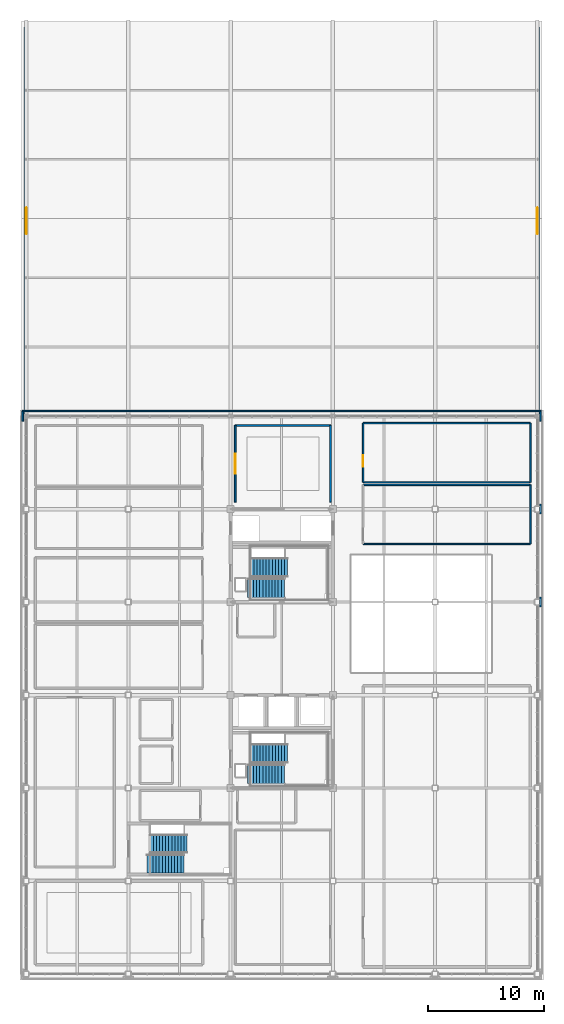
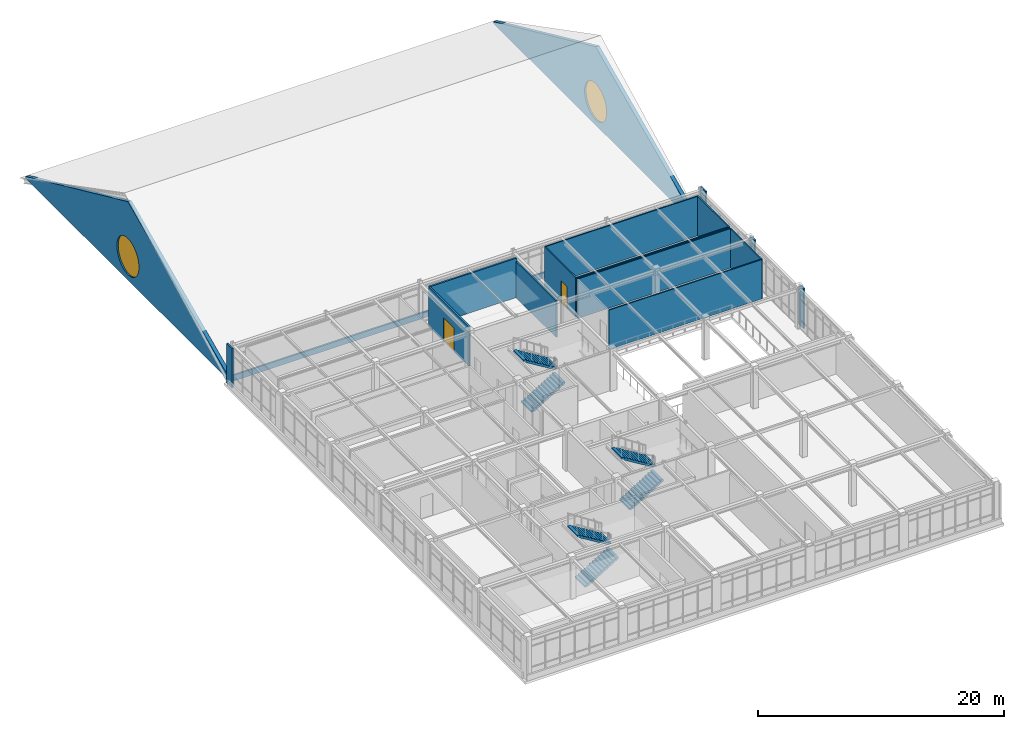
# One storey, part 42 of 45: 17 walls, 6 stair flights, 2 doors, 2 windows, 4 openings, 3 elements without a shape of their own.
"""IFC4 building model written with IfcOpenShell, lengths in metres."""

from ifc_helpers import new_model, si_unit, direction, frame, frame_2d, origin, place, context, subcontext, project, spatial, polyline, rectangle, outline, extrude, material, layer, layer_set, type_object, element, fill, aggregate, save


model = new_model("IFC4")

# Units and contexts
model_context = context("Model", 3, precision=1e-05, world=origin(), true_north=direction((0.0, 1.0)))
body_context = subcontext(model_context, "Body", "Model", "MODEL_VIEW")
ifc_project = project(units=[si_unit("LENGTHUNIT", "METRE"), si_unit("AREAUNIT", "SQUARE_METRE"), si_unit("VOLUMEUNIT", "CUBIC_METRE"), si_unit("PLANEANGLEUNIT", "RADIAN"), si_unit("MASSUNIT", "GRAM", prefix="KILO")], contexts=[model_context])

# Site, building, storey
site_placement = place(None, origin())
site = spatial("IfcSite", under=ifc_project, at=site_placement, CompositionType="ELEMENT")
building_placement = place(site_placement, origin())
building = spatial("IfcBuilding", under=site, at=building_placement, Name="Zhaolan Boulevard Law Courts", CompositionType="ELEMENT")
storey_placement = place(building_placement, frame((0.0, 0.0, 24.60009765625)))
storey = spatial("IfcBuildingStorey", under=building, at=storey_placement, Name="L05", CompositionType="ELEMENT", Elevation=24.60009765625)

# Walls
ifc_material_1 = material(Name="Concrete C40", Category="concrete")
ifc_layer_1 = layer(ifc_material_1, 0.139892578125)
ifc_layer_set_1 = layer_set([ifc_layer_1])
wall_type_1 = type_object("IfcWallType", Name="EXT WALL ARCH CLAD140", PredefinedType="SOLIDWALL", material=ifc_layer_set_1)
for number, where, z_axis, x_axis, name in (
    (1, (44.280029296875, 61.580078125, 0.0), (0.0, 0.0, 1.0), (0.0, 1.0, 0.0), "Concrete Column Cloak Pier CPR-130"),
    (2, (44.280029296875, 69.580078125, 0.0), (0.0, 0.0, 1.0), (0.0, 1.0, 0.0), "Concrete Column Cloak Pier CPR-132"),
    (3, (-0.280029296875, 77.580078125, 0.0), (0.0, 0.0, 1.0), (0.0, 1.0, 0.0), "Concrete Column Cloak Pier CPR-133"),
    (4, (44.280029296875, 77.580078125, 0.0), (0.0, 0.0, 1.0), (0.0, 1.0, 0.0), "Concrete Column Cloak Pier CPR-134"),
):
    element("IfcWall", number, at=place(storey_placement, frame(where, z_axis=z_axis, x_axis=x_axis)), inside=storey, type_object=wall_type_1, Name=name, PredefinedType="SOLIDWALL", context=body_context, shape_type="SweptSolid", body=[
        extrude(rectangle(XDim=0.83984375, YDim=0.139892578125, at=frame_2d((0.419921875, 0.0))), origin(), (0.0, 0.0, 1.0), 3.93994140625),
    ])
ifc_material_2 = material(Name="Concrete C40", Category="concrete")
ifc_layer_2 = layer(ifc_material_2, 0.159912109375)
ifc_layer_set_2 = layer_set([ifc_layer_2])
wall_type_2 = type_object("IfcWallType", Name="EXT WALL ARCH CLAD160", PredefinedType="SOLIDWALL", material=ifc_layer_set_2)
wall_1_placement = place(storey_placement, frame((44.340087890625, 78.43994140625, 0.0), z_axis=(0.0, 0.0, 1.0), x_axis=(-1.0, 0.0, 0.0)))
element("IfcWall", 5, at=wall_1_placement, inside=storey, type_object=wall_type_2, Name="Sculpted Concrete Spandrel Band CBW-120", PredefinedType="SOLIDWALL", context=body_context, shape_type="SweptSolid", body=[
    extrude(rectangle(XDim=44.68017578125, YDim=0.159912109375, at=frame_2d((22.340087890625, 0.0))), origin(), (0.0, 0.0, 1.0), 0.579833984375),
])

# Wall, opening, window
ifc_material_3 = material(Name="Concrete C40", Category="concrete")
ifc_layer_3 = layer(ifc_material_3, 0.340087890625)
ifc_layer_set_3 = layer_set([ifc_layer_3])
wall_type_3 = type_object("IfcWallType", Name="EXT WALL GABLE340", PredefinedType="SOLIDWALL", material=ifc_layer_set_3)
wall_2_placement = place(storey_placement, frame((0.0, 111.489990234375, 0.219970703125), z_axis=(0.0, 0.0, 1.0), x_axis=(0.0, -1.0, 0.0)))
wall_2 = element("IfcWall", 6, at=wall_2_placement, inside=storey, type_object=wall_type_3, Name="Sculpted Concrete Gable Wall GW-LIBS", PredefinedType="SOLIDWALL", context=body_context, shape_type="SweptSolid", body=[
    extrude(outline(polyline([(0.0, 0.0), (33.343994140625, 0.0), (33.343994140625, 0.199951171875), (16.672119140625, 7.800048828125), (0.0, 0.199951171875), (0.0, 0.0)])), frame((0.0, 0.169921875, 0.0), z_axis=(0.0, -1.0, 0.0), x_axis=(1.0, 0.0, 0.0)), (0.0, 0.0, 1.0), 0.340087890625),
])
opening_1_placement = place(wall_2_placement, frame((14.8720703125, 0.0, 0.550048828125)))
opening_1 = element("IfcOpeningElement", 7, at=opening_1_placement, cuts=wall_2, Name="Opening OC-LIBS", PredefinedType="OPENING", context=body_context, shape_type="SweptSolid", body=[
    extrude(outline(polyline([(3.60009765625, 1.800048828125), (3.57275390625, 2.112548828125), (3.491455078125, 2.41552734375), (3.35888671875, 2.699951171875), (3.178955078125, 2.95703125), (2.95703125, 3.178955078125), (2.699951171875, 3.35888671875), (2.41552734375, 3.491455078125), (2.112548828125, 3.57275390625), (1.800048828125, 3.60009765625), (1.487548828125, 3.57275390625), (1.184326171875, 3.491455078125), (0.89990234375, 3.35888671875), (0.64306640625, 3.178955078125), (0.421142578125, 2.95703125), (0.2412109375, 2.699951171875), (0.108642578125, 2.41552734375), (0.02734375, 2.112548828125), (0.0, 1.800048828125), (0.02734375, 1.487548828125), (0.108642578125, 1.184326171875), (0.2412109375, 0.89990234375), (0.421142578125, 0.64306640625), (0.64306640625, 0.421142578125), (0.89990234375, 0.2412109375), (1.184326171875, 0.108642578125), (1.487548828125, 0.02734375), (1.800048828125, 0.0), (2.112548828125, 0.02734375), (2.41552734375, 0.108642578125), (2.699951171875, 0.2412109375), (2.95703125, 0.421142578125), (3.178955078125, 0.64306640625), (3.35888671875, 0.89990234375), (3.491455078125, 1.184326171875), (3.57275390625, 1.487548828125), (3.60009765625, 1.800048828125)])), frame((0.0, 0.179931640625, 0.0), z_axis=(0.0, -1.0, 0.0), x_axis=(1.0, 0.0, 0.0)), (0.0, 0.0, 1.0), 0.360107421875),
])
ifc_material_4 = material(Name="Thermally broken aluminium and laminated low-E glass", Category="aluminium")
window_type = type_object("IfcWindowType", Name="OCULUS WINDOW D3600", PartitioningType="SINGLE_PANEL", PredefinedType="WINDOW", material=ifc_material_4)
window_1_placement = place(opening_1_placement, origin())
window_1 = element("IfcWindow", 8, at=window_1_placement, inside=storey, type_object=window_type, Name="Circular Gable Oculus Window OC-LIBS", OverallHeight=3.60009765625, OverallWidth=3.60009765625, PartitioningType="SINGLE_PANEL", PredefinedType="WINDOW", context=body_context, shape_type="SweptSolid", body=[
    extrude(outline(polyline([(3.60009765625, 1.800048828125), (3.57275390625, 2.112548828125), (3.491455078125, 2.41552734375), (3.35888671875, 2.699951171875), (3.178955078125, 2.95703125), (2.95703125, 3.178955078125), (2.699951171875, 3.35888671875), (2.41552734375, 3.491455078125), (2.112548828125, 3.57275390625), (1.800048828125, 3.60009765625), (1.487548828125, 3.57275390625), (1.184326171875, 3.491455078125), (0.89990234375, 3.35888671875), (0.64306640625, 3.178955078125), (0.421142578125, 2.95703125), (0.2412109375, 2.699951171875), (0.108642578125, 2.41552734375), (0.02734375, 2.112548828125), (0.0, 1.800048828125), (0.02734375, 1.487548828125), (0.108642578125, 1.184326171875), (0.2412109375, 0.89990234375), (0.421142578125, 0.64306640625), (0.64306640625, 0.421142578125), (0.89990234375, 0.2412109375), (1.184326171875, 0.108642578125), (1.487548828125, 0.02734375), (1.800048828125, 0.0), (2.112548828125, 0.02734375), (2.41552734375, 0.108642578125), (2.699951171875, 0.2412109375), (2.95703125, 0.421142578125), (3.178955078125, 0.64306640625), (3.35888671875, 0.89990234375), (3.491455078125, 1.184326171875), (3.57275390625, 1.487548828125), (3.60009765625, 1.800048828125)])), frame((0.0, 0.0400390625, 0.0), z_axis=(0.0, -1.0, 0.0), x_axis=(1.0, 0.0, 0.0)), (0.0, 0.0, 1.0), 0.080078125),
])
fill(opening_1, window_1)

wall_3_placement = place(storey_placement, frame((44.0, 78.14599609375, 0.219970703125), z_axis=(0.0, 0.0, 1.0), x_axis=(0.0, 1.0, 0.0)))
wall_3 = element("IfcWall", 9, at=wall_3_placement, inside=storey, type_object=wall_type_3, Name="Sculpted Concrete Gable Wall GW-LIBE", PredefinedType="SOLIDWALL", context=body_context, shape_type="SweptSolid", body=[
    extrude(outline(polyline([(0.0, 0.0), (33.343994140625, 0.0), (33.343994140625, 0.199951171875), (16.672119140625, 7.800048828125), (0.0, 0.199951171875), (0.0, 0.0)])), frame((0.0, 0.169921875, 0.0), z_axis=(0.0, -1.0, 0.0), x_axis=(1.0, 0.0, 0.0)), (0.0, 0.0, 1.0), 0.340087890625),
])
opening_2_placement = place(wall_3_placement, frame((14.8720703125, 0.0, 0.550048828125)))
opening_2 = element("IfcOpeningElement", 10, at=opening_2_placement, cuts=wall_3, Name="Opening OC-LIBE", PredefinedType="OPENING", context=body_context, shape_type="SweptSolid", body=[
    extrude(outline(polyline([(3.60009765625, 1.800048828125), (3.57275390625, 2.112548828125), (3.491455078125, 2.41552734375), (3.35888671875, 2.699951171875), (3.178955078125, 2.95703125), (2.95703125, 3.178955078125), (2.699951171875, 3.35888671875), (2.41552734375, 3.491455078125), (2.112548828125, 3.57275390625), (1.800048828125, 3.60009765625), (1.487548828125, 3.57275390625), (1.184326171875, 3.491455078125), (0.89990234375, 3.35888671875), (0.64306640625, 3.178955078125), (0.421142578125, 2.95703125), (0.2412109375, 2.699951171875), (0.108642578125, 2.41552734375), (0.02734375, 2.112548828125), (0.0, 1.800048828125), (0.02734375, 1.487548828125), (0.108642578125, 1.184326171875), (0.2412109375, 0.89990234375), (0.421142578125, 0.64306640625), (0.64306640625, 0.421142578125), (0.89990234375, 0.2412109375), (1.184326171875, 0.108642578125), (1.487548828125, 0.02734375), (1.800048828125, 0.0), (2.112548828125, 0.02734375), (2.41552734375, 0.108642578125), (2.699951171875, 0.2412109375), (2.95703125, 0.421142578125), (3.178955078125, 0.64306640625), (3.35888671875, 0.89990234375), (3.491455078125, 1.184326171875), (3.57275390625, 1.487548828125), (3.60009765625, 1.800048828125)])), frame((0.0, 0.179931640625, 0.0), z_axis=(0.0, -1.0, 0.0), x_axis=(1.0, 0.0, 0.0)), (0.0, 0.0, 1.0), 0.360107421875),
])
window_2_placement = place(opening_2_placement, origin())
window_2 = element("IfcWindow", 11, at=window_2_placement, inside=storey, type_object=window_type, Name="Circular Gable Oculus Window OC-LIBE", OverallHeight=3.60009765625, OverallWidth=3.60009765625, PartitioningType="SINGLE_PANEL", PredefinedType="WINDOW", context=body_context, shape_type="SweptSolid", body=[
    extrude(outline(polyline([(3.60009765625, 1.800048828125), (3.57275390625, 2.112548828125), (3.491455078125, 2.41552734375), (3.35888671875, 2.699951171875), (3.178955078125, 2.95703125), (2.95703125, 3.178955078125), (2.699951171875, 3.35888671875), (2.41552734375, 3.491455078125), (2.112548828125, 3.57275390625), (1.800048828125, 3.60009765625), (1.487548828125, 3.57275390625), (1.184326171875, 3.491455078125), (0.89990234375, 3.35888671875), (0.64306640625, 3.178955078125), (0.421142578125, 2.95703125), (0.2412109375, 2.699951171875), (0.108642578125, 2.41552734375), (0.02734375, 2.112548828125), (0.0, 1.800048828125), (0.02734375, 1.487548828125), (0.108642578125, 1.184326171875), (0.2412109375, 0.89990234375), (0.421142578125, 0.64306640625), (0.64306640625, 0.421142578125), (0.89990234375, 0.2412109375), (1.184326171875, 0.108642578125), (1.487548828125, 0.02734375), (1.800048828125, 0.0), (2.112548828125, 0.02734375), (2.41552734375, 0.108642578125), (2.699951171875, 0.2412109375), (2.95703125, 0.421142578125), (3.178955078125, 0.64306640625), (3.35888671875, 0.89990234375), (3.491455078125, 1.184326171875), (3.57275390625, 1.487548828125), (3.60009765625, 1.800048828125)])), frame((0.0, 0.0400390625, 0.0), z_axis=(0.0, -1.0, 0.0), x_axis=(1.0, 0.0, 0.0)), (0.0, 0.0, 1.0), 0.080078125),
])
fill(opening_2, window_2)

# Wall
ifc_material_5 = material(Name="Fire-rated gypsum stud partition")
ifc_layer_4 = layer(ifc_material_5, 0.159912109375)
ifc_layer_set_4 = layer_set([ifc_layer_4])
wall_type_4 = type_object("IfcWallType", Name="PART WALL CHAMB160", PredefinedType="PARTITIONING", material=ifc_layer_set_4)
wall_4_placement = place(storey_placement, frame((26.199951171875, 77.199951171875, 0.0), z_axis=(0.0, 0.0, 1.0), x_axis=(-1.0, 0.0, 0.0)))
element("IfcWall", 12, at=wall_4_placement, inside=storey, type_object=wall_type_4, Name="Interior Partition PW-L05-797", PredefinedType="PARTITIONING", context=body_context, shape_type="SweptSolid", body=[
    extrude(rectangle(XDim=8.199951171875, YDim=0.159912109375, at=frame_2d((4.10009765625, 0.0))), origin(), (0.0, 0.0, 1.0), 3.919921875),
])

# Wall, opening, door
wall_5_placement = place(storey_placement, frame((18.0, 77.199951171875, 0.0), z_axis=(0.0, 0.0, 1.0), x_axis=(0.0, -1.0, 0.0)))
wall_5 = element("IfcWall", 13, at=wall_5_placement, inside=storey, type_object=wall_type_4, Name="Interior Partition PW-L05-798", PredefinedType="PARTITIONING", context=body_context, shape_type="SweptSolid", body=[
    extrude(rectangle(XDim=6.599853515625, YDim=0.159912109375, at=frame_2d((3.2998046875, 0.0))), origin(), (0.0, 0.0, 1.0), 3.919921875),
])
opening_3_placement = place(wall_5_placement, frame((2.449951171875, 0.0, 0.0)))
opening_3 = element("IfcOpeningElement", 14, at=opening_3_placement, cuts=wall_5, Name="Opening ID-L05-251", PredefinedType="OPENING", context=body_context, shape_type="SweptSolid", body=[
    extrude(rectangle(XDim=1.699951171875, YDim=2.300048828125, at=frame_2d((0.85009765625, 1.14990234375))), frame((0.0, 0.08984375, 0.0), z_axis=(0.0, -1.0, 0.0), x_axis=(1.0, 0.0, 0.0)), (0.0, 0.0, 1.0), 0.179931640625),
])
ifc_material_6 = material(Name="Solid-core acoustic oak veneer door")
door_type_1 = type_object("IfcDoorType", Name="LIB DOUBLE 1700X2300", OperationType="DOUBLE_DOOR_SINGLE_SWING", PredefinedType="DOOR", material=ifc_material_6)
door_1_placement = place(opening_3_placement, origin())
door_1 = element("IfcDoor", 15, at=door_1_placement, inside=storey, type_object=door_type_1, Name="Door ID-L05-251 (Appellate Legal Reference Room L05)", OperationType="DOUBLE_DOOR_SINGLE_SWING", OverallHeight=2.300048828125, OverallWidth=1.699951171875, PredefinedType="DOOR", context=body_context, shape_type="SweptSolid", body=[
    extrude(rectangle(XDim=1.699951171875, YDim=2.300048828125, at=frame_2d((0.85009765625, 1.14990234375))), frame((0.0, 0.02490234375, 0.0), z_axis=(0.0, -1.0, 0.0), x_axis=(1.0, 0.0, 0.0)), (0.0, 0.0, 1.0), 0.050048828125),
])
fill(opening_3, door_1)

# Walls
wall_6_placement = place(storey_placement, frame((26.199951171875, 70.60009765625, 0.0), z_axis=(0.0, 0.0, 1.0), x_axis=(0.0, 1.0, 0.0)))
element("IfcWall", 16, at=wall_6_placement, inside=storey, type_object=wall_type_4, Name="Interior Partition PW-L05-799", PredefinedType="PARTITIONING", context=body_context, shape_type="SweptSolid", body=[
    extrude(rectangle(XDim=6.599853515625, YDim=0.159912109375, at=frame_2d((3.2998046875, 0.0))), origin(), (0.0, 0.0, 1.0), 3.595947265625),
])
ifc_material_7 = material(Name="Gypsum board stud partition")
ifc_layer_5 = layer(ifc_material_7, 0.1201171875)
ifc_layer_set_5 = layer_set([ifc_layer_5])
wall_type_5 = type_object("IfcWallType", Name="PART WALL LIGHT120", PredefinedType="PARTITIONING", material=ifc_layer_set_5)
for number, where, z_axis, x_axis, name in (
    (17, (29.0, 67.0, 0.0), (0.0, 0.0, 1.0), (1.0, 0.0, 0.0), "Interior Partition PW-L05-654"),
    (18, (43.39990234375, 72.090087890625, 0.0), (0.0, 0.0, 1.0), (-1.0, 0.0, 0.0), "Interior Partition PW-L05-655"),
):
    element("IfcWall", number, at=place(storey_placement, frame(where, z_axis=z_axis, x_axis=x_axis)), inside=storey, type_object=wall_type_5, Name=name, PredefinedType="PARTITIONING", context=body_context, shape_type="SweptSolid", body=[
        extrude(rectangle(XDim=14.39990234375, YDim=0.1201171875, at=frame_2d((7.199951171875, 0.0))), origin(), (0.0, 0.0, 1.0), 3.919921875),
    ])
wall_7_placement = place(storey_placement, frame((43.39990234375, 67.0, 0.0), z_axis=(0.0, 0.0, 1.0), x_axis=(0.0, 1.0, 0.0)))
element("IfcWall", 19, at=wall_7_placement, inside=storey, type_object=wall_type_5, Name="Interior Partition PW-L05-657", PredefinedType="PARTITIONING", context=body_context, shape_type="SweptSolid", body=[
    extrude(rectangle(XDim=5.090087890625, YDim=0.1201171875, at=frame_2d((2.544921875, 0.0))), origin(), (0.0, 0.0, 1.0), 3.919921875),
])
for number, where, z_axis, x_axis, name in (
    (20, (29.0, 72.31005859375, 0.0), (0.0, 0.0, 1.0), (1.0, 0.0, 0.0), "Interior Partition PW-L05-658"),
    (21, (43.39990234375, 77.39990234375, 0.0), (0.0, 0.0, 1.0), (-1.0, 0.0, 0.0), "Interior Partition PW-L05-659"),
):
    element("IfcWall", number, at=place(storey_placement, frame(where, z_axis=z_axis, x_axis=x_axis)), inside=storey, type_object=wall_type_5, Name=name, PredefinedType="PARTITIONING", context=body_context, shape_type="SweptSolid", body=[
        extrude(rectangle(XDim=14.39990234375, YDim=0.1201171875, at=frame_2d((7.199951171875, 0.0))), origin(), (0.0, 0.0, 1.0), 3.919921875),
    ])

# Wall, opening, door
wall_8_placement = place(storey_placement, frame((29.0, 77.39990234375, 0.0), z_axis=(0.0, 0.0, 1.0), x_axis=(0.0, -1.0, 0.0)))
wall_8 = element("IfcWall", 22, at=wall_8_placement, inside=storey, type_object=wall_type_5, Name="Interior Partition PW-L05-660", PredefinedType="PARTITIONING", context=body_context, shape_type="SweptSolid", body=[
    extrude(rectangle(XDim=5.08984375, YDim=0.1201171875, at=frame_2d((2.544921875, 0.0))), origin(), (0.0, 0.0, 1.0), 3.919921875),
])
opening_4_placement = place(wall_8_placement, frame((2.757080078125, 0.0, 0.0)))
opening_4 = element("IfcOpeningElement", 23, at=opening_4_placement, cuts=wall_8, Name="Opening JD-L05-201", PredefinedType="OPENING", context=body_context, shape_type="SweptSolid", body=[
    extrude(rectangle(XDim=0.97998046875, YDim=2.199951171875, at=frame_2d((0.489990234375, 1.10009765625))), frame((0.0, 0.070068359375, 0.0), z_axis=(0.0, -1.0, 0.0), x_axis=(1.0, 0.0, 0.0)), (0.0, 0.0, 1.0), 0.14013671875),
])
ifc_material_8 = material(Name="Solid-core acoustic oak veneer door")
door_type_2 = type_object("IfcDoorType", Name="CHAMBER DOOR 980X2200 R", OperationType="SINGLE_SWING_RIGHT", PredefinedType="DOOR", material=ifc_material_8)
door_2_placement = place(opening_4_placement, origin())
door_2 = element("IfcDoor", 24, at=door_2_placement, inside=storey, type_object=door_type_2, Name="Door JD-L05-201 (Judges' Chambers L05-02)", OperationType="SINGLE_SWING_RIGHT", OverallHeight=2.199951171875, OverallWidth=0.97998046875, PredefinedType="DOOR", context=body_context, shape_type="SweptSolid", body=[
    extrude(rectangle(XDim=0.97998046875, YDim=2.199951171875, at=frame_2d((0.489990234375, 1.10009765625))), frame((0.0, 0.02490234375, 0.0), z_axis=(0.0, -1.0, 0.0), x_axis=(1.0, 0.0, 0.0)), (0.0, 0.0, 1.0), 0.050048828125),
])
fill(opening_4, door_2)

# Wall
wall_9_placement = place(storey_placement, frame((43.39990234375, 72.31005859375, 0.0), z_axis=(0.0, 0.0, 1.0), x_axis=(0.0, 1.0, 0.0)))
element("IfcWall", 25, at=wall_9_placement, inside=storey, type_object=wall_type_5, Name="Interior Partition PW-L05-661", PredefinedType="PARTITIONING", context=body_context, shape_type="SweptSolid", body=[
    extrude(rectangle(XDim=5.08984375, YDim=0.1201171875, at=frame_2d((2.544921875, 0.0))), origin(), (0.0, 0.0, 1.0), 3.919921875),
])

# Stair, stair flights
ifc_material_9 = material(Name="Concrete C40", Category="concrete")
stair_type_1 = type_object("IfcStairType", Name="HALF TURN STAIR 42 A", PredefinedType="HALF_TURN_STAIR", material=ifc_material_9)
stair_1_placement = place(storey_placement, origin())
stair_1 = element("IfcStair", 26, at=stair_1_placement, inside=storey, type_object=stair_type_1, Name="Stair ST01-L05", PredefinedType="HALF_TURN_STAIR")
ifc_material_10 = material(Name="Concrete C40", Category="concrete")
stair_flight_type_1 = type_object("IfcStairFlightType", Name="STAIR FLIGHT 42 A", PredefinedType="STRAIGHT", material=ifc_material_10)
stair_flight_1_placement = place(storey_placement, frame((19.050048828125, 47.205078125, 0.0), z_axis=(0.0, 0.0, 1.0), x_axis=(1.0, 0.0, 0.0)))
stair_flight_1 = element("IfcStairFlight", 27, at=stair_flight_1_placement, type_object=stair_flight_type_1, Name="Stair Flight ST01-L05-F1", NumberOfRisers=13, NumberOfTreads=12, PredefinedType="STRAIGHT", RiserHeight=0.161538462, TreadLength=0.265, context=body_context, shape_type="SweptSolid", body=[
    extrude(outline(polyline([(0.0, 0.0), (0.0, 0.16162109375), (0.264892578125, 0.16162109375), (0.264892578125, 0.322998046875), (0.530029296875, 0.322998046875), (0.530029296875, 0.484619140625), (0.794921875, 0.484619140625), (0.794921875, 0.646240234375), (1.06005859375, 0.646240234375), (1.06005859375, 0.8076171875), (1.324951171875, 0.8076171875), (1.324951171875, 0.96923828125), (1.590087890625, 0.96923828125), (1.590087890625, 1.130859375), (1.85498046875, 1.130859375), (1.85498046875, 1.292236328125), (2.1201171875, 1.292236328125), (2.1201171875, 1.453857421875), (2.385009765625, 1.453857421875), (2.385009765625, 1.615478515625), (2.64990234375, 1.615478515625), (2.64990234375, 1.77685546875), (2.9150390625, 1.77685546875), (2.9150390625, 1.9384765625), (3.179931640625, 1.9384765625), (3.179931640625, 2.10009765625), (3.179931640625, 1.751220703125), (0.30712890625, 0.0), (0.0, 0.0)])), frame((0.0, 0.824951171875, 0.0), z_axis=(0.0, -1.0, 0.0), x_axis=(1.0, 0.0, 0.0)), (0.0, 0.0, 1.0), 1.64990234375),
])
stair_flight_2_placement = place(storey_placement, frame((22.514892578125, 48.955078125, 2.099853515625), z_axis=(0.0, 0.0, 1.0), x_axis=(-1.0, 0.0, 0.0)))
stair_flight_2 = element("IfcStairFlight", 28, at=stair_flight_2_placement, type_object=stair_flight_type_1, Name="Stair Flight ST01-L05-F2", NumberOfRisers=13, NumberOfTreads=12, PredefinedType="STRAIGHT", RiserHeight=0.161538462, TreadLength=0.265, context=body_context, shape_type="SweptSolid", body=[
    extrude(outline(polyline([(0.0, 0.0), (0.0, 0.16162109375), (0.264892578125, 0.16162109375), (0.264892578125, 0.322998046875), (0.530029296875, 0.322998046875), (0.530029296875, 0.484619140625), (0.794921875, 0.484619140625), (0.794921875, 0.646240234375), (1.06005859375, 0.646240234375), (1.06005859375, 0.8076171875), (1.324951171875, 0.8076171875), (1.324951171875, 0.96923828125), (1.590087890625, 0.96923828125), (1.590087890625, 1.130859375), (1.85498046875, 1.130859375), (1.85498046875, 1.292236328125), (2.1201171875, 1.292236328125), (2.1201171875, 1.453857421875), (2.385009765625, 1.453857421875), (2.385009765625, 1.615478515625), (2.64990234375, 1.615478515625), (2.64990234375, 1.77685546875), (2.9150390625, 1.77685546875), (2.9150390625, 1.9384765625), (3.179931640625, 1.9384765625), (3.179931640625, 2.10009765625), (3.179931640625, 1.751220703125), (0.30712890625, 0.0), (0.0, 0.0)])), frame((0.0, 0.824951171875, 0.0), z_axis=(0.0, -1.0, 0.0), x_axis=(1.0, 0.0, 0.0)), (0.0, 0.0, 1.0), 1.64990234375),
])
aggregate(stair_1, [stair_flight_1, stair_flight_2])

stair_2_placement = place(storey_placement, origin())
stair_2 = element("IfcStair", 29, at=stair_2_placement, inside=storey, type_object=stair_type_1, Name="Stair ST02-L05", PredefinedType="HALF_TURN_STAIR")
stair_flight_3_placement = place(storey_placement, frame((19.050048828125, 63.205078125, 0.0), z_axis=(0.0, 0.0, 1.0), x_axis=(1.0, 0.0, 0.0)))
stair_flight_3 = element("IfcStairFlight", 30, at=stair_flight_3_placement, type_object=stair_flight_type_1, Name="Stair Flight ST02-L05-F1", NumberOfRisers=13, NumberOfTreads=12, PredefinedType="STRAIGHT", RiserHeight=0.161538462, TreadLength=0.265, context=body_context, shape_type="SweptSolid", body=[
    extrude(outline(polyline([(0.0, 0.0), (0.0, 0.16162109375), (0.264892578125, 0.16162109375), (0.264892578125, 0.322998046875), (0.530029296875, 0.322998046875), (0.530029296875, 0.484619140625), (0.794921875, 0.484619140625), (0.794921875, 0.646240234375), (1.06005859375, 0.646240234375), (1.06005859375, 0.8076171875), (1.324951171875, 0.8076171875), (1.324951171875, 0.96923828125), (1.590087890625, 0.96923828125), (1.590087890625, 1.130859375), (1.85498046875, 1.130859375), (1.85498046875, 1.292236328125), (2.1201171875, 1.292236328125), (2.1201171875, 1.453857421875), (2.385009765625, 1.453857421875), (2.385009765625, 1.615478515625), (2.64990234375, 1.615478515625), (2.64990234375, 1.77685546875), (2.9150390625, 1.77685546875), (2.9150390625, 1.9384765625), (3.179931640625, 1.9384765625), (3.179931640625, 2.10009765625), (3.179931640625, 1.751220703125), (0.30712890625, 0.0), (0.0, 0.0)])), frame((0.0, 0.824951171875, 0.0), z_axis=(0.0, -1.0, 0.0), x_axis=(1.0, 0.0, 0.0)), (0.0, 0.0, 1.0), 1.64990234375),
])
stair_flight_4_placement = place(storey_placement, frame((22.514892578125, 64.955078125, 2.099853515625), z_axis=(0.0, 0.0, 1.0), x_axis=(-1.0, 0.0, 0.0)))
stair_flight_4 = element("IfcStairFlight", 31, at=stair_flight_4_placement, type_object=stair_flight_type_1, Name="Stair Flight ST02-L05-F2", NumberOfRisers=13, NumberOfTreads=12, PredefinedType="STRAIGHT", RiserHeight=0.161538462, TreadLength=0.265, context=body_context, shape_type="SweptSolid", body=[
    extrude(outline(polyline([(0.0, 0.0), (0.0, 0.16162109375), (0.264892578125, 0.16162109375), (0.264892578125, 0.322998046875), (0.530029296875, 0.322998046875), (0.530029296875, 0.484619140625), (0.794921875, 0.484619140625), (0.794921875, 0.646240234375), (1.06005859375, 0.646240234375), (1.06005859375, 0.8076171875), (1.324951171875, 0.8076171875), (1.324951171875, 0.96923828125), (1.590087890625, 0.96923828125), (1.590087890625, 1.130859375), (1.85498046875, 1.130859375), (1.85498046875, 1.292236328125), (2.1201171875, 1.292236328125), (2.1201171875, 1.453857421875), (2.385009765625, 1.453857421875), (2.385009765625, 1.615478515625), (2.64990234375, 1.615478515625), (2.64990234375, 1.77685546875), (2.9150390625, 1.77685546875), (2.9150390625, 1.9384765625), (3.179931640625, 1.9384765625), (3.179931640625, 2.10009765625), (3.179931640625, 1.751220703125), (0.30712890625, 0.0), (0.0, 0.0)])), frame((0.0, 0.824951171875, 0.0), z_axis=(0.0, -1.0, 0.0), x_axis=(1.0, 0.0, 0.0)), (0.0, 0.0, 1.0), 1.64990234375),
])
aggregate(stair_2, [stair_flight_3, stair_flight_4])

ifc_material_11 = material(Name="Concrete C40", Category="concrete")
stair_type_2 = type_object("IfcStairType", Name="HALF TURN STAIR 42 B", PredefinedType="HALF_TURN_STAIR", material=ifc_material_11)
stair_3_placement = place(storey_placement, origin())
stair_3 = element("IfcStair", 32, at=stair_3_placement, inside=storey, type_object=stair_type_2, Name="Stair ST03-L05", PredefinedType="HALF_TURN_STAIR")
ifc_material_12 = material(Name="Concrete C40", Category="concrete")
stair_flight_type_2 = type_object("IfcStairFlightType", Name="STAIR FLIGHT 42 B", PredefinedType="STRAIGHT", material=ifc_material_12)
stair_flight_5_placement = place(storey_placement, frame((10.39990234375, 39.47998046875, 0.0), z_axis=(0.0, 0.0, 1.0), x_axis=(1.0, 0.0, 0.0)))
stair_flight_5 = element("IfcStairFlight", 33, at=stair_flight_5_placement, type_object=stair_flight_type_2, Name="Stair Flight ST03-L05-F1", NumberOfRisers=13, NumberOfTreads=12, PredefinedType="STRAIGHT", RiserHeight=0.161538462, TreadLength=0.265, context=body_context, shape_type="SweptSolid", body=[
    extrude(outline(polyline([(0.0, 0.0), (0.0, 0.16162109375), (0.264892578125, 0.16162109375), (0.264892578125, 0.322998046875), (0.530029296875, 0.322998046875), (0.530029296875, 0.484619140625), (0.794921875, 0.484619140625), (0.794921875, 0.646240234375), (1.06005859375, 0.646240234375), (1.06005859375, 0.8076171875), (1.324951171875, 0.8076171875), (1.324951171875, 0.96923828125), (1.590087890625, 0.96923828125), (1.590087890625, 1.130859375), (1.85498046875, 1.130859375), (1.85498046875, 1.292236328125), (2.1201171875, 1.292236328125), (2.1201171875, 1.453857421875), (2.385009765625, 1.453857421875), (2.385009765625, 1.615478515625), (2.64990234375, 1.615478515625), (2.64990234375, 1.77685546875), (2.9150390625, 1.77685546875), (2.9150390625, 1.9384765625), (3.179931640625, 1.9384765625), (3.179931640625, 2.10009765625), (3.179931640625, 1.751220703125), (0.30712890625, 0.0), (0.0, 0.0)])), frame((0.0, 0.800048828125, 0.0), z_axis=(0.0, -1.0, 0.0), x_axis=(1.0, 0.0, 0.0)), (0.0, 0.0, 1.0), 1.60009765625),
])
stair_flight_6_placement = place(storey_placement, frame((13.864990234375, 41.179931640625, 2.099853515625), z_axis=(0.0, 0.0, 1.0), x_axis=(-1.0, 0.0, 0.0)))
stair_flight_6 = element("IfcStairFlight", 34, at=stair_flight_6_placement, type_object=stair_flight_type_2, Name="Stair Flight ST03-L05-F2", NumberOfRisers=13, NumberOfTreads=12, PredefinedType="STRAIGHT", RiserHeight=0.161538462, TreadLength=0.265, context=body_context, shape_type="SweptSolid", body=[
    extrude(outline(polyline([(0.0, 0.0), (0.0, 0.16162109375), (0.264892578125, 0.16162109375), (0.264892578125, 0.322998046875), (0.530029296875, 0.322998046875), (0.530029296875, 0.484619140625), (0.794921875, 0.484619140625), (0.794921875, 0.646240234375), (1.06005859375, 0.646240234375), (1.06005859375, 0.8076171875), (1.324951171875, 0.8076171875), (1.324951171875, 0.96923828125), (1.590087890625, 0.96923828125), (1.590087890625, 1.130859375), (1.85498046875, 1.130859375), (1.85498046875, 1.292236328125), (2.1201171875, 1.292236328125), (2.1201171875, 1.453857421875), (2.385009765625, 1.453857421875), (2.385009765625, 1.615478515625), (2.64990234375, 1.615478515625), (2.64990234375, 1.77685546875), (2.9150390625, 1.77685546875), (2.9150390625, 1.9384765625), (3.179931640625, 1.9384765625), (3.179931640625, 2.10009765625), (3.179931640625, 1.751220703125), (0.30712890625, 0.0), (0.0, 0.0)])), frame((0.0, 0.800048828125, 0.0), z_axis=(0.0, -1.0, 0.0), x_axis=(1.0, 0.0, 0.0)), (0.0, 0.0, 1.0), 1.60009765625),
])
aggregate(stair_3, [stair_flight_5, stair_flight_6])

save(model, "model.ifc")
